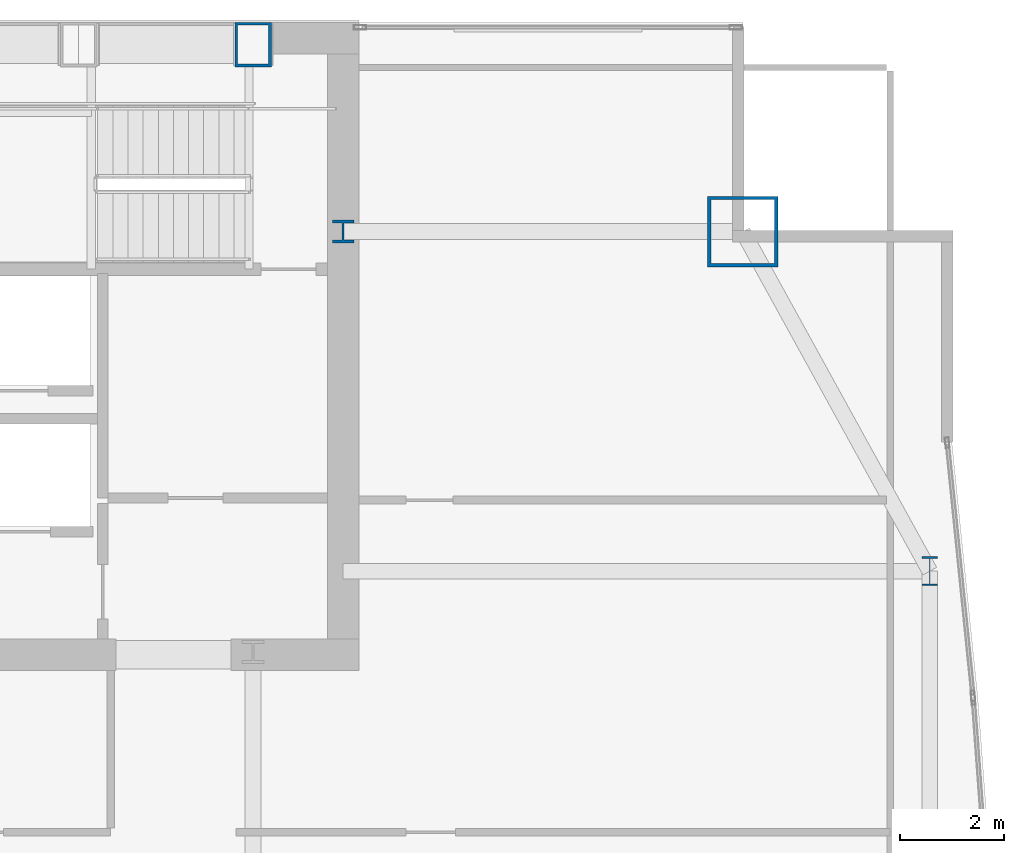
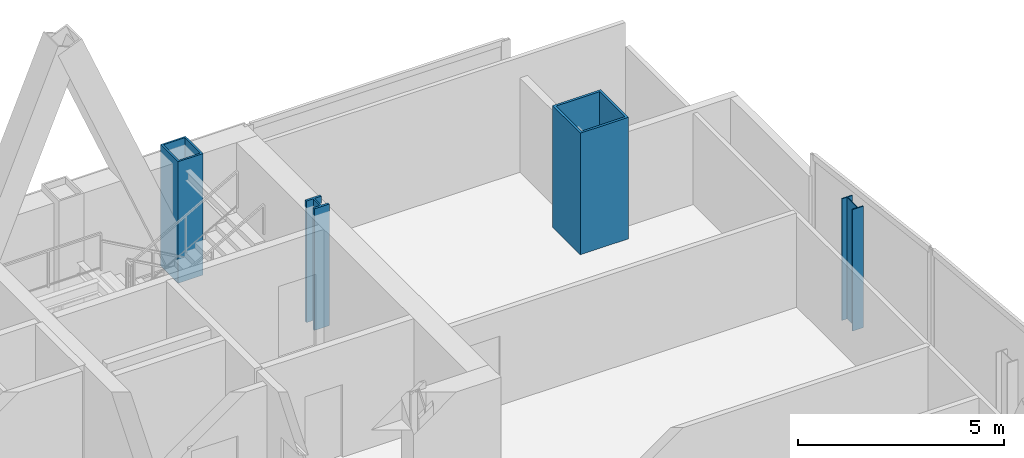
# One storey, part 4 of 29: 4 columns.
"""IFC4 building model written with IfcOpenShell, lengths in metres."""

from ifc_helpers import new_model, si_unit, direction, frame, origin, origin_2d, place, context, subcontext, project, spatial, hollow_rectangle, i_section, extrude, material, material_profile, profile_set, type_object, element, save


model = new_model("IFC4")

# Units and contexts
model_context = context("Model", 3, precision=1e-05, world=origin(), true_north=direction((0.0, 1.0)))
body_context = subcontext(model_context, "Body", "Model", "MODEL_VIEW")
ifc_project = project(units=[si_unit("LENGTHUNIT", "METRE"), si_unit("AREAUNIT", "SQUARE_METRE"), si_unit("VOLUMEUNIT", "CUBIC_METRE"), si_unit("PLANEANGLEUNIT", "RADIAN"), si_unit("MASSUNIT", "GRAM", prefix="KILO")], contexts=[model_context])

# Site, building, storey
site_placement = place(None, origin())
site = spatial("IfcSite", under=ifc_project, at=site_placement, CompositionType="ELEMENT")
building_placement = place(site_placement, origin())
building = spatial("IfcBuilding", under=site, at=building_placement, Name="Khoronbel Lancet Exchange", CompositionType="ELEMENT")
storey_placement = place(building_placement, frame((0.0, 0.0, 180.60009765625)))
storey = spatial("IfcBuildingStorey", under=building, at=storey_placement, Name="L45", CompositionType="ELEMENT", Elevation=180.60009765625)

# Columns
ifc_material_1 = material(Name="Steel S460", Category="steel")
ifc_material_profile_1 = material_profile(ifc_material_1, hollow_rectangle(XDim=0.699951171875, YDim=0.85009765625, WallThickness=0.050048828125, at=origin_2d()), Name="BOX 850x700x50")
ifc_profile_set_1 = profile_set([ifc_material_profile_1], Name="Steel S460")
column_type_1 = type_object("IfcColumnType", Name="COL-EC2", PredefinedType="COLUMN", material=ifc_profile_set_1)
column_1_placement = place(storey_placement, frame((54.675048828125, 53.280029296875, 0.0), z_axis=(0.0, 0.0, 1.0), x_axis=(1.0, 0.0, 0.0)))
element("IfcColumn", 1, at=column_1_placement, inside=storey, type_object=column_type_1, Name="Structural column NC-E2 L45", PredefinedType="COLUMN", context=body_context, shape_type="SweptSolid", body=[
    extrude(hollow_rectangle(XDim=0.699951171875, YDim=0.85009765625, WallThickness=0.050048828125, at=origin_2d()), origin(), (0.0, 0.0, 1.0), 3.599853515625),
])
ifc_material_profile_2 = material_profile(ifc_material_1, i_section(OverallWidth=0.416015625, OverallDepth=0.446044921875, WebThickness=0.0390625, FlangeThickness=0.062744140625, at=origin_2d()), Name="HD 400x509")
ifc_profile_set_2 = profile_set([ifc_material_profile_2], Name="Steel S460")
column_type_2 = type_object("IfcColumnType", Name="COL-IC2", PredefinedType="COLUMN", material=ifc_profile_set_2)
column_2_placement = place(storey_placement, frame((56.39990234375, 49.699951171875, 0.0), z_axis=(0.0, 0.0, 1.0), x_axis=(1.0, 0.0, 0.0)))
element("IfcColumn", 2, at=column_2_placement, inside=storey, type_object=column_type_2, Name="Core-flank plumb transfer column CFE L45", PredefinedType="COLUMN", context=body_context, shape_type="SweptSolid", body=[
    extrude(i_section(OverallWidth=0.416015625, OverallDepth=0.446044921875, WebThickness=0.0390625, FlangeThickness=0.062744140625, at=origin_2d()), origin(), (0.0, 0.0, 1.0), 3.599853515625),
])
ifc_material_2 = material(Name="Steel S355", Category="steel")
ifc_material_profile_3 = material_profile(ifc_material_2, i_section(OverallWidth=0.300048828125, OverallDepth=0.550048828125, WebThickness=0.014892578125, FlangeThickness=0.029052734375, at=origin_2d()), Name="HEB 550")
ifc_profile_set_3 = profile_set([ifc_material_profile_3], Name="Steel S355")
column_type_3 = type_object("IfcColumnType", Name="COL-LC1", PredefinedType="COLUMN", material=ifc_profile_set_3)
column_3_placement = place(storey_placement, frame((67.6298828125, 43.199951171875, 0.0), z_axis=(0.0, 0.0, 1.0), x_axis=(1.0, 0.0, 0.0)))
element("IfcColumn", 3, at=column_3_placement, inside=storey, type_object=column_type_3, Name="Structural column EC-4 L45", PredefinedType="COLUMN", context=body_context, shape_type="SweptSolid", body=[
    extrude(i_section(OverallWidth=0.300048828125, OverallDepth=0.550048828125, WebThickness=0.014892578125, FlangeThickness=0.029052734375, at=origin_2d()), origin(), (0.0, 0.0, 1.0), 3.599853515625),
])
ifc_material_profile_4 = material_profile(ifc_material_1, hollow_rectangle(XDim=1.35009765625, YDim=1.35009765625, WallThickness=0.06494140625, at=origin_2d()), Name="BOX 1350x1350x65")
ifc_profile_set_4 = profile_set([ifc_material_profile_4], Name="Steel S460")
column_type_4 = type_object("IfcColumnType", Name="COL-MC4", PredefinedType="COLUMN", material=ifc_profile_set_4)
column_4_placement = place(storey_placement, frame((64.050048828125, 49.699951171875, 0.0), z_axis=(0.0, 0.0, 1.0), x_axis=(1.0, 0.0, 0.0)))
element("IfcColumn", 4, at=column_4_placement, inside=storey, type_object=column_type_4, Name="Structural column MC-NE L45", PredefinedType="COLUMN", context=body_context, shape_type="SweptSolid", body=[
    extrude(hollow_rectangle(XDim=1.35009765625, YDim=1.35009765625, WallThickness=0.06494140625, at=origin_2d()), origin(), (0.0, 0.0, 1.0), 3.599853515625),
])

save(model, "model.ifc")
